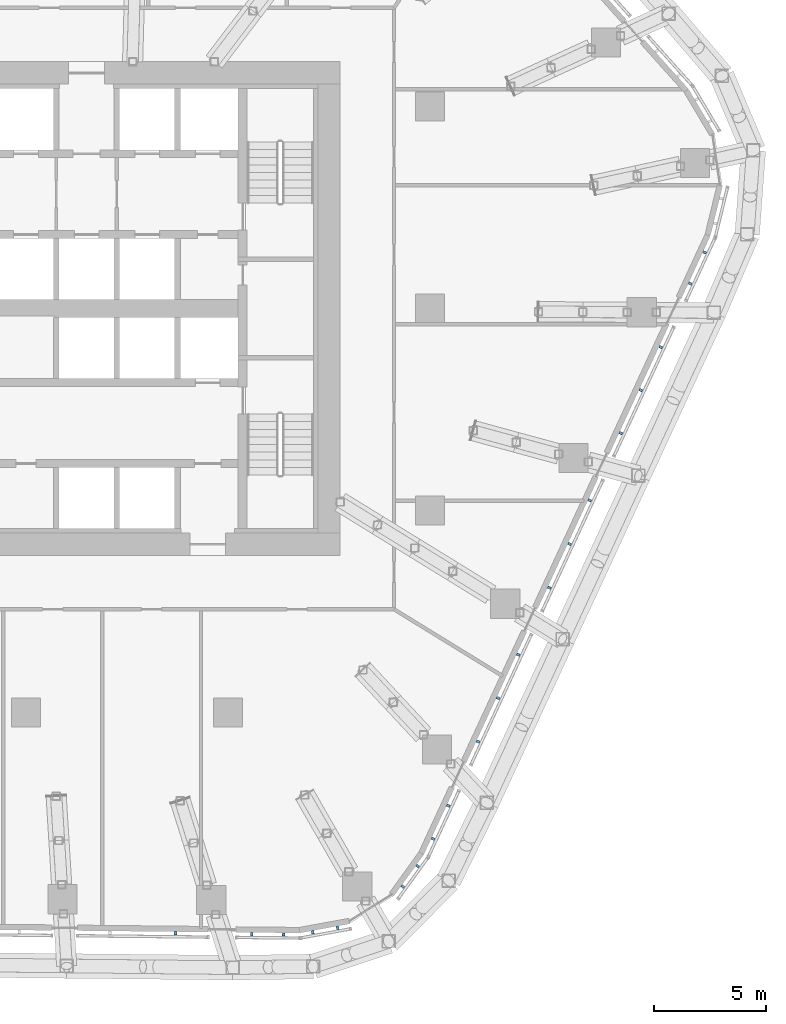
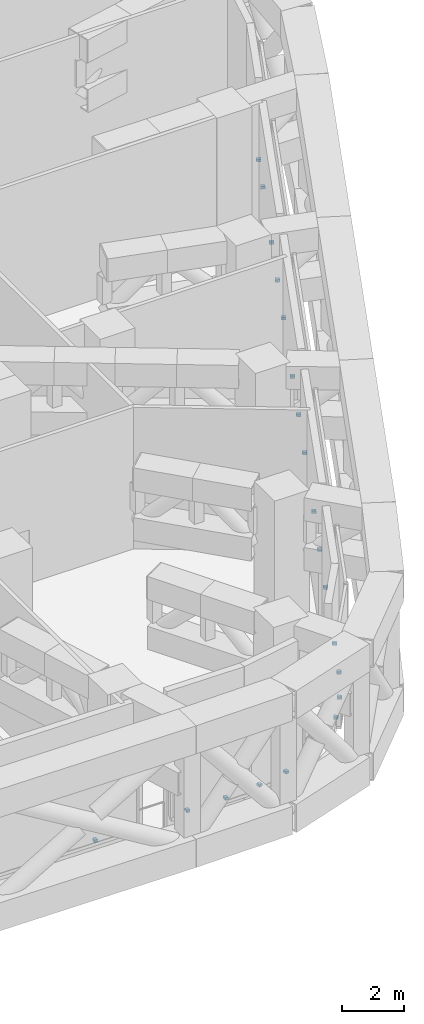
# One storey, part 22 of 30: 20 discrete accessories, 3 elements without a shape of their own.
"""IFC4 building model written with IfcOpenShell, lengths in metres."""

from ifc_helpers import new_model, si_unit, direction, frame, origin, origin_2d, place, context, subcontext, project, spatial, rectangle, extrude, material, layer, layer_set, type_object, element, aggregate, save


model = new_model("IFC4")

# Units and contexts
model_context = context("Model", 3, precision=1e-05, world=origin(), true_north=direction((0.0, 1.0)))
body_context = subcontext(model_context, "Body", "Model", "MODEL_VIEW")
ifc_project = project(units=[si_unit("LENGTHUNIT", "METRE"), si_unit("AREAUNIT", "SQUARE_METRE"), si_unit("VOLUMEUNIT", "CUBIC_METRE"), si_unit("PLANEANGLEUNIT", "RADIAN"), si_unit("MASSUNIT", "GRAM", prefix="KILO")], contexts=[model_context])

# Site, building, storey
site_placement = place(None, origin())
site = spatial("IfcSite", under=ifc_project, at=site_placement, CompositionType="ELEMENT")
building_placement = place(site_placement, origin())
building = spatial("IfcBuilding", under=site, at=building_placement, Name="Dongbaek Canopy Tower", CompositionType="ELEMENT")
storey_placement = place(building_placement, frame((0.0, 0.0, 145.60009765625)))
storey = spatial("IfcBuildingStorey", under=building, at=storey_placement, Name="L32", CompositionType="ELEMENT", Elevation=145.60009765625)

# Curtain wall, discrete accessories
ifc_material_1 = material(Name="Aluminium 6063-T6 pale anodised", Category="aluminium")
ifc_layer = layer(ifc_material_1, 0.14990234375)
ifc_layer_set = layer_set([ifc_layer], Name="CW-7 louvre curtain wall")
curtain_wall_type = type_object("IfcCurtainWallType", Name="CW-7 louvre curtain wall", PredefinedType="NOTDEFINED", material=ifc_layer_set)
curtain_wall_1_placement = place(storey_placement, origin())
curtain_wall_1 = element("IfcCurtainWall", 1, at=curtain_wall_1_placement, inside=storey, type_object=curtain_wall_type, Name="CW-7 louvre wall L32 F4", PredefinedType="NOTDEFINED")
ifc_material_2 = material(Name="Galvanised steel S355 bracket", Category="steel")
discrete_accessory_type = type_object("IfcDiscreteAccessoryType", Name="Louvre bracket BR1", PredefinedType="BRACKET", material=ifc_material_2)
discrete_accessory_1_placement = place(storey_placement, frame((6.65966796875, -27.84033203125, 0.664794921875), z_axis=(0.0, 0.0, 1.0), x_axis=(0.999945908801, -0.010400936107, 0.0)))
discrete_accessory_1 = element("IfcDiscreteAccessory", 2, at=discrete_accessory_1_placement, type_object=discrete_accessory_type, Name="Louvre bracket L32 F4.3.2", PredefinedType="BRACKET", context=body_context, shape_type="SweptSolid", body=[
    extrude(rectangle(XDim=0.1201171875, YDim=0.14990234375, at=origin_2d()), origin(), (0.0, 0.0, 1.0), 0.10009765625),
])
discrete_accessory_2_placement = place(storey_placement, frame((10.062744140625, -27.875732421875, 0.664794921875), z_axis=(0.0, 0.0, 1.0), x_axis=(0.999945908801, -0.010400936107, 0.0)))
discrete_accessory_2 = element("IfcDiscreteAccessory", 3, at=discrete_accessory_2_placement, type_object=discrete_accessory_type, Name="Louvre bracket L32 F4.4.1", PredefinedType="BRACKET", context=body_context, shape_type="SweptSolid", body=[
    extrude(rectangle(XDim=0.1201171875, YDim=0.14990234375, at=origin_2d()), origin(), (0.0, 0.0, 1.0), 0.10009765625),
])
discrete_accessory_3_placement = place(storey_placement, frame((11.4775390625, -27.890380859375, 0.664794921875), z_axis=(0.0, 0.0, 1.0), x_axis=(0.999945908801, -0.010400936107, 0.0)))
discrete_accessory_3 = element("IfcDiscreteAccessory", 4, at=discrete_accessory_3_placement, type_object=discrete_accessory_type, Name="Louvre bracket L32 F4.4.2", PredefinedType="BRACKET", context=body_context, shape_type="SweptSolid", body=[
    extrude(rectangle(XDim=0.1201171875, YDim=0.14990234375, at=origin_2d()), origin(), (0.0, 0.0, 1.0), 0.10009765625),
])
aggregate(curtain_wall_1, [discrete_accessory_1, discrete_accessory_2, discrete_accessory_3])

curtain_wall_2_placement = place(storey_placement, origin())
curtain_wall_2 = element("IfcCurtainWall", 5, at=curtain_wall_2_placement, inside=storey, type_object=curtain_wall_type, Name="CW-7 louvre wall L32 K5", PredefinedType="NOTDEFINED")
discrete_accessory_4_placement = place(storey_placement, frame((12.776611328125, -27.793212890625, 0.664794921875), z_axis=(0.0, 0.0, 1.0), x_axis=(0.983694855947, 0.179845573712, 0.0)))
discrete_accessory_4 = element("IfcDiscreteAccessory", 6, at=discrete_accessory_4_placement, type_object=discrete_accessory_type, Name="Louvre bracket L32 K5.1.1", PredefinedType="BRACKET", context=body_context, shape_type="SweptSolid", body=[
    extrude(rectangle(XDim=0.1201171875, YDim=0.14990234375, at=origin_2d()), origin(), (0.0, 0.0, 1.0), 0.10009765625),
])
discrete_accessory_5_placement = place(storey_placement, frame((13.88427734375, -27.5908203125, 0.664794921875), z_axis=(0.0, 0.0, 1.0), x_axis=(0.983694855947, 0.179845573712, 0.0)))
discrete_accessory_5 = element("IfcDiscreteAccessory", 7, at=discrete_accessory_5_placement, type_object=discrete_accessory_type, Name="Louvre bracket L32 K5.1.2", PredefinedType="BRACKET", context=body_context, shape_type="SweptSolid", body=[
    extrude(rectangle(XDim=0.1201171875, YDim=0.14990234375, at=origin_2d()), origin(), (0.0, 0.0, 1.0), 0.10009765625),
])
discrete_accessory_6_placement = place(storey_placement, frame((16.789306640625, -25.756103515625, 0.664794921875), z_axis=(0.0, 0.0, 1.0), x_axis=(0.585133374078, 0.810937071874, 0.0)))
discrete_accessory_6 = element("IfcDiscreteAccessory", 8, at=discrete_accessory_6_placement, type_object=discrete_accessory_type, Name="Louvre bracket L32 K5.2.1", PredefinedType="BRACKET", context=body_context, shape_type="SweptSolid", body=[
    extrude(rectangle(XDim=0.1201171875, YDim=0.14990234375, at=origin_2d()), origin(), (0.0, 0.0, 1.0), 0.10009765625),
])
discrete_accessory_7_placement = place(storey_placement, frame((17.447998046875, -24.843017578125, 0.664794921875), z_axis=(0.0, 0.0, 1.0), x_axis=(0.585133374078, 0.810937071874, 0.0)))
discrete_accessory_7 = element("IfcDiscreteAccessory", 9, at=discrete_accessory_7_placement, type_object=discrete_accessory_type, Name="Louvre bracket L32 K5.2.2", PredefinedType="BRACKET", context=body_context, shape_type="SweptSolid", body=[
    extrude(rectangle(XDim=0.1201171875, YDim=0.14990234375, at=origin_2d()), origin(), (0.0, 0.0, 1.0), 0.10009765625),
])
aggregate(curtain_wall_2, [discrete_accessory_4, discrete_accessory_5, discrete_accessory_6, discrete_accessory_7])

curtain_wall_3_placement = place(storey_placement, origin())
curtain_wall_3 = element("IfcCurtainWall", 10, at=curtain_wall_3_placement, inside=storey, type_object=curtain_wall_type, Name="CW-7 louvre wall L32 F5", PredefinedType="NOTDEFINED")
discrete_accessory_8_placement = place(storey_placement, frame((18.136962890625, -23.619384765625, 0.664794921875), z_axis=(0.0, 0.0, 1.0), x_axis=(0.420334494236, 0.907369226366, 0.0)))
discrete_accessory_8 = element("IfcDiscreteAccessory", 11, at=discrete_accessory_8_placement, type_object=discrete_accessory_type, Name="Louvre bracket L32 F5.1.1", PredefinedType="BRACKET", context=body_context, shape_type="SweptSolid", body=[
    extrude(rectangle(XDim=0.1201171875, YDim=0.14990234375, at=origin_2d()), origin(), (0.0, 0.0, 1.0), 0.10009765625),
])
discrete_accessory_9_placement = place(storey_placement, frame((18.817138671875, -22.15087890625, 0.664794921875), z_axis=(0.0, 0.0, 1.0), x_axis=(0.420334494236, 0.907369226366, 0.0)))
discrete_accessory_9 = element("IfcDiscreteAccessory", 12, at=discrete_accessory_9_placement, type_object=discrete_accessory_type, Name="Louvre bracket L32 F5.1.2", PredefinedType="BRACKET", context=body_context, shape_type="SweptSolid", body=[
    extrude(rectangle(XDim=0.1201171875, YDim=0.14990234375, at=origin_2d()), origin(), (0.0, 0.0, 1.0), 0.10009765625),
])
discrete_accessory_10_placement = place(storey_placement, frame((20.140625, -19.2939453125, 0.664794921875), z_axis=(0.0, 0.0, 1.0), x_axis=(0.420334494236, 0.907369226366, 0.0)))
discrete_accessory_10 = element("IfcDiscreteAccessory", 13, at=discrete_accessory_10_placement, type_object=discrete_accessory_type, Name="Louvre bracket L32 F5.2.1", PredefinedType="BRACKET", context=body_context, shape_type="SweptSolid", body=[
    extrude(rectangle(XDim=0.1201171875, YDim=0.14990234375, at=origin_2d()), origin(), (0.0, 0.0, 1.0), 0.10009765625),
])
discrete_accessory_11_placement = place(storey_placement, frame((21.037353515625, -17.358154296875, 0.664794921875), z_axis=(0.0, 0.0, 1.0), x_axis=(0.420334494236, 0.907369226366, 0.0)))
discrete_accessory_11 = element("IfcDiscreteAccessory", 14, at=discrete_accessory_11_placement, type_object=discrete_accessory_type, Name="Louvre bracket L32 F5.2.2", PredefinedType="BRACKET", context=body_context, shape_type="SweptSolid", body=[
    extrude(rectangle(XDim=0.1201171875, YDim=0.14990234375, at=origin_2d()), origin(), (0.0, 0.0, 1.0), 0.10009765625),
])
discrete_accessory_12_placement = place(storey_placement, frame((21.93408203125, -15.42236328125, 0.664794921875), z_axis=(0.0, 0.0, 1.0), x_axis=(0.420334494236, 0.907369226366, 0.0)))
discrete_accessory_12 = element("IfcDiscreteAccessory", 15, at=discrete_accessory_12_placement, type_object=discrete_accessory_type, Name="Louvre bracket L32 F5.2.3", PredefinedType="BRACKET", context=body_context, shape_type="SweptSolid", body=[
    extrude(rectangle(XDim=0.1201171875, YDim=0.14990234375, at=origin_2d()), origin(), (0.0, 0.0, 1.0), 0.10009765625),
])
discrete_accessory_13_placement = place(storey_placement, frame((23.316650390625, -12.437744140625, 0.664794921875), z_axis=(0.0, 0.0, 1.0), x_axis=(0.420334494236, 0.907369226366, 0.0)))
discrete_accessory_13 = element("IfcDiscreteAccessory", 16, at=discrete_accessory_13_placement, type_object=discrete_accessory_type, Name="Louvre bracket L32 F5.3.1", PredefinedType="BRACKET", context=body_context, shape_type="SweptSolid", body=[
    extrude(rectangle(XDim=0.1201171875, YDim=0.14990234375, at=origin_2d()), origin(), (0.0, 0.0, 1.0), 0.10009765625),
])
discrete_accessory_14_placement = place(storey_placement, frame((24.218017578125, -10.4921875, 0.664794921875), z_axis=(0.0, 0.0, 1.0), x_axis=(0.420334494236, 0.907369226366, 0.0)))
discrete_accessory_14 = element("IfcDiscreteAccessory", 17, at=discrete_accessory_14_placement, type_object=discrete_accessory_type, Name="Louvre bracket L32 F5.3.2", PredefinedType="BRACKET", context=body_context, shape_type="SweptSolid", body=[
    extrude(rectangle(XDim=0.1201171875, YDim=0.14990234375, at=origin_2d()), origin(), (0.0, 0.0, 1.0), 0.10009765625),
])
discrete_accessory_15_placement = place(storey_placement, frame((25.119384765625, -8.546630859375, 0.664794921875), z_axis=(0.0, 0.0, 1.0), x_axis=(0.420334494236, 0.907369226366, 0.0)))
discrete_accessory_15 = element("IfcDiscreteAccessory", 18, at=discrete_accessory_15_placement, type_object=discrete_accessory_type, Name="Louvre bracket L32 F5.3.3", PredefinedType="BRACKET", context=body_context, shape_type="SweptSolid", body=[
    extrude(rectangle(XDim=0.1201171875, YDim=0.14990234375, at=origin_2d()), origin(), (0.0, 0.0, 1.0), 0.10009765625),
])
discrete_accessory_16_placement = place(storey_placement, frame((26.5068359375, -5.551513671875, 0.664794921875), z_axis=(0.0, 0.0, 1.0), x_axis=(0.420334494236, 0.907369226366, 0.0)))
discrete_accessory_16 = element("IfcDiscreteAccessory", 19, at=discrete_accessory_16_placement, type_object=discrete_accessory_type, Name="Louvre bracket L32 F5.4.1", PredefinedType="BRACKET", context=body_context, shape_type="SweptSolid", body=[
    extrude(rectangle(XDim=0.1201171875, YDim=0.14990234375, at=origin_2d()), origin(), (0.0, 0.0, 1.0), 0.10009765625),
])
discrete_accessory_17_placement = place(storey_placement, frame((27.395263671875, -3.63330078125, 0.664794921875), z_axis=(0.0, 0.0, 1.0), x_axis=(0.420334494236, 0.907369226366, 0.0)))
discrete_accessory_17 = element("IfcDiscreteAccessory", 20, at=discrete_accessory_17_placement, type_object=discrete_accessory_type, Name="Louvre bracket L32 F5.4.2", PredefinedType="BRACKET", context=body_context, shape_type="SweptSolid", body=[
    extrude(rectangle(XDim=0.1201171875, YDim=0.14990234375, at=origin_2d()), origin(), (0.0, 0.0, 1.0), 0.10009765625),
])
discrete_accessory_18_placement = place(storey_placement, frame((28.283935546875, -1.71533203125, 0.664794921875), z_axis=(0.0, 0.0, 1.0), x_axis=(0.420334494236, 0.907369226366, 0.0)))
discrete_accessory_18 = element("IfcDiscreteAccessory", 21, at=discrete_accessory_18_placement, type_object=discrete_accessory_type, Name="Louvre bracket L32 F5.4.3", PredefinedType="BRACKET", context=body_context, shape_type="SweptSolid", body=[
    extrude(rectangle(XDim=0.1201171875, YDim=0.14990234375, at=origin_2d()), origin(), (0.0, 0.0, 1.0), 0.10009765625),
])
discrete_accessory_19_placement = place(storey_placement, frame((29.593994140625, 1.11279296875, 0.664794921875), z_axis=(0.0, 0.0, 1.0), x_axis=(0.420334494236, 0.907369226366, 0.0)))
discrete_accessory_19 = element("IfcDiscreteAccessory", 22, at=discrete_accessory_19_placement, type_object=discrete_accessory_type, Name="Louvre bracket L32 F5.5.1", PredefinedType="BRACKET", context=body_context, shape_type="SweptSolid", body=[
    extrude(rectangle(XDim=0.1201171875, YDim=0.14990234375, at=origin_2d()), origin(), (0.0, 0.0, 1.0), 0.10009765625),
])
discrete_accessory_20_placement = place(storey_placement, frame((30.238037109375, 2.5029296875, 0.664794921875), z_axis=(0.0, 0.0, 1.0), x_axis=(0.420334494236, 0.907369226366, 0.0)))
discrete_accessory_20 = element("IfcDiscreteAccessory", 23, at=discrete_accessory_20_placement, type_object=discrete_accessory_type, Name="Louvre bracket L32 F5.5.2", PredefinedType="BRACKET", context=body_context, shape_type="SweptSolid", body=[
    extrude(rectangle(XDim=0.1201171875, YDim=0.14990234375, at=origin_2d()), origin(), (0.0, 0.0, 1.0), 0.10009765625),
])
aggregate(curtain_wall_3, [discrete_accessory_8, discrete_accessory_9, discrete_accessory_10, discrete_accessory_11, discrete_accessory_12, discrete_accessory_13, discrete_accessory_14, discrete_accessory_15, discrete_accessory_16, discrete_accessory_17, discrete_accessory_18, discrete_accessory_19, discrete_accessory_20])

save(model, "model.ifc")
